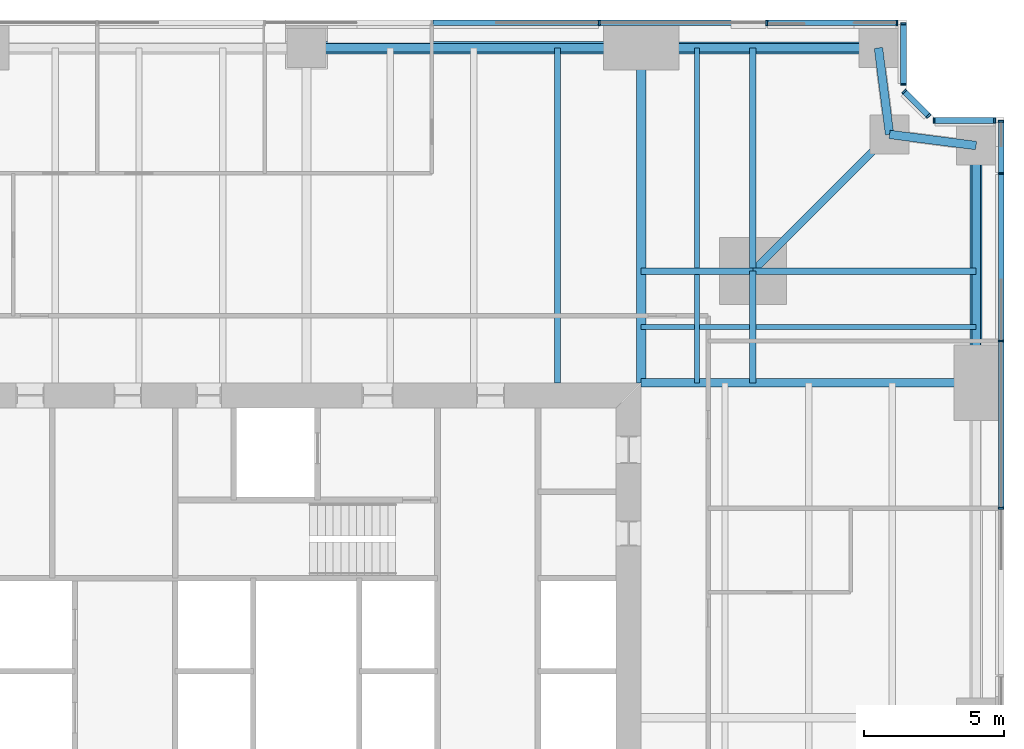
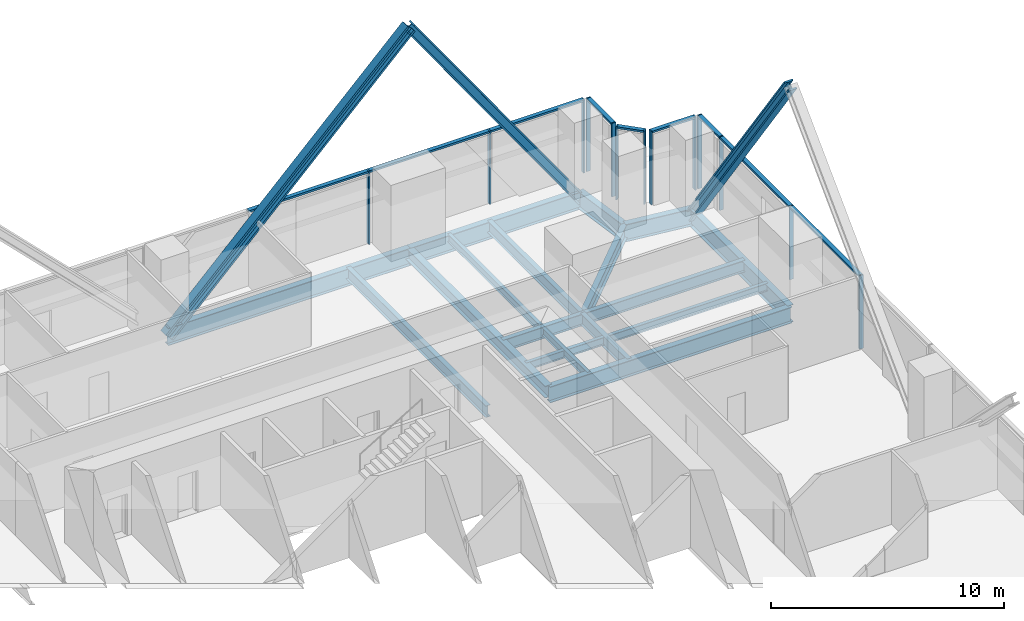
# One storey, part 7 of 13: 25 members, 18 beams, 5 elements without a shape of their own.
"""IFC4 building model written with IfcOpenShell, lengths in metres."""

from ifc_helpers import new_model, si_unit, direction, frame, origin, origin_2d, place, context, subcontext, project, spatial, rectangle, i_section, extrude, material, material_profile, profile_set, type_object, element, aggregate, save


model = new_model("IFC4")

# Units and contexts
model_context = context("Model", 3, precision=1e-05, world=origin(), true_north=direction((0.0, 1.0)))
body_context = subcontext(model_context, "Body", "Model", "MODEL_VIEW")
ifc_project = project(units=[si_unit("LENGTHUNIT", "METRE"), si_unit("AREAUNIT", "SQUARE_METRE"), si_unit("VOLUMEUNIT", "CUBIC_METRE"), si_unit("PLANEANGLEUNIT", "RADIAN"), si_unit("MASSUNIT", "GRAM", prefix="KILO")], contexts=[model_context])

# Site, building, storey
site_placement = place(None, origin())
site = spatial("IfcSite", under=ifc_project, at=site_placement, CompositionType="ELEMENT")
building_placement = place(site_placement, origin())
building = spatial("IfcBuilding", under=site, at=building_placement, Name="Fenwick Lantern Interchange", CompositionType="ELEMENT")
storey_placement = place(building_placement, frame((0.0, 0.0, 67.0)))
storey = spatial("IfcBuildingStorey", under=building, at=storey_placement, Name="L15", CompositionType="ELEMENT", Elevation=67.0)

# Beams
ifc_material_1 = material(Name="Steel ASTM A992 Grade 50", Category="steel")
ifc_material_profile_1 = material_profile(ifc_material_1, i_section(OverallWidth=0.3046875, OverallDepth=0.911865234375, WebThickness=0.015869140625, FlangeThickness=0.02392578125, at=origin_2d()), Name="W36X150")
ifc_profile_set_1 = profile_set([ifc_material_profile_1], Name="Steel ASTM A992 Grade 50")
beam_type_1 = type_object("IfcBeamType", Name="EDGE BEAM W36X150", PredefinedType="SPANDREL", material=ifc_profile_set_1)
beam_1_placement = place(storey_placement, frame((49.0, 37.0, -0.60595703125), z_axis=(0.0, 1.0, 0.0), x_axis=(-1.0, 0.0, 0.0)))
element("IfcBeam", 1, at=beam_1_placement, inside=storey, type_object=beam_type_1, Name="L15/FR/E/EB4", PredefinedType="SPANDREL", context=body_context, shape_type="SweptSolid", body=[
    extrude(i_section(OverallWidth=0.3046875, OverallDepth=0.911865234375, WebThickness=0.015869140625, FlangeThickness=0.02392578125, at=origin_2d()), origin(), (0.0, 0.0, 1.0), 8.5),
])
for number, where, z_axis, x_axis, name in (
    (2, (49.0, 45.5, -0.60595703125), (-0.991782342897, 0.127936641807, 0.0), (-0.127936641807, -0.991782342897, 0.0), "L15/FR/E/EBR1"),
    (3, (45.89990234375, 45.89990234375, -0.60595703125), (-0.127936641807, 0.991782342897, 0.0), (-0.991782342897, -0.127936641807, 0.0), "L15/FR/E/EBR2"),
):
    element("IfcBeam", number, at=place(storey_placement, frame(where, z_axis=z_axis, x_axis=x_axis)), inside=storey, type_object=beam_type_1, Name=name, PredefinedType="SPANDREL", context=body_context, shape_type="SweptSolid", body=[
        extrude(i_section(OverallWidth=0.3046875, OverallDepth=0.911865234375, WebThickness=0.015869140625, FlangeThickness=0.02392578125, at=origin_2d()), origin(), (0.0, 0.0, 1.0), 3.125732421875),
    ])
beam_2_placement = place(storey_placement, frame((45.5, 49.0, -0.60595703125), z_axis=(-1.0, 0.0, 0.0), x_axis=(0.0, -1.0, 0.0)))
element("IfcBeam", 4, at=beam_2_placement, inside=storey, type_object=beam_type_1, Name="L15/FR/N/EB1", PredefinedType="SPANDREL", context=body_context, shape_type="SweptSolid", body=[
    extrude(i_section(OverallWidth=0.3046875, OverallDepth=0.911865234375, WebThickness=0.015869140625, FlangeThickness=0.02392578125, at=origin_2d()), origin(), (0.0, 0.0, 1.0), 8.5),
])
beam_3_placement = place(storey_placement, frame((37.0, 49.0, -0.60595703125), z_axis=(-1.0, 0.0, 0.0), x_axis=(0.0, -1.0, 0.0)))
element("IfcBeam", 5, at=beam_3_placement, inside=storey, type_object=beam_type_1, Name="L15/FR/N/EB2", PredefinedType="SPANDREL", context=body_context, shape_type="SweptSolid", body=[
    extrude(i_section(OverallWidth=0.3046875, OverallDepth=0.911865234375, WebThickness=0.015869140625, FlangeThickness=0.02392578125, at=origin_2d()), origin(), (0.0, 0.0, 1.0), 12.0),
])

# Members
ifc_material_profile_2 = material_profile(ifc_material_1, i_section(OverallWidth=0.424072265625, OverallDepth=0.47509765625, WebThickness=0.0478515625, FlangeThickness=0.0771484375, at=origin_2d()), Name="W14X426")
ifc_profile_set_2 = profile_set([ifc_material_profile_2], Name="Steel ASTM A992 Grade 50")
member_type_1 = type_object("IfcMemberType", Name="FACADE BRACE W14X426", PredefinedType="BRACE", material=ifc_profile_set_2)
for number, where, z_axis, x_axis, name in (
    (6, (49.0, 45.5, -0.60595703125), (0.0, -0.57801734078, 0.816024481102), (1.0, 0.0, 0.0), "L15/FB/E/BE"),
    (7, (45.5, 49.0, -0.60595703125), (-0.57801734078, 0.0, 0.816024481102), (0.0, -1.0, 0.0), "L15/FB/N/AE"),
):
    element("IfcMember", number, at=place(storey_placement, frame(where, z_axis=z_axis, x_axis=x_axis)), inside=storey, type_object=member_type_1, Name=name, PredefinedType="BRACE", context=body_context, shape_type="SweptSolid", body=[
        extrude(i_section(OverallWidth=0.424072265625, OverallDepth=0.47509765625, WebThickness=0.0478515625, FlangeThickness=0.0771484375, at=origin_2d()), origin(), (0.0, 0.0, 1.0), 14.705322265625),
    ])
ifc_material_profile_3 = material_profile(ifc_material_1, i_section(OverallWidth=0.44189453125, OverallDepth=0.53076171875, WebThickness=0.06591796875, FlangeThickness=0.105712890625, at=origin_2d()), Name="W14X605")
ifc_profile_set_3 = profile_set([ifc_material_profile_3], Name="Steel ASTM A992 Grade 50")
member_type_2 = type_object("IfcMemberType", Name="FACADE BRACE W14X605", PredefinedType="BRACE", material=ifc_profile_set_3)
member_1_placement = place(storey_placement, frame((25.0, 49.0, -0.60595703125), z_axis=(0.707106781187, 0.0, 0.707106781187), x_axis=(0.0, 1.0, 0.0)))
element("IfcMember", 8, at=member_1_placement, inside=storey, type_object=member_type_2, Name="L15/FB/N/A", PredefinedType="BRACE", context=body_context, shape_type="SweptSolid", body=[
    extrude(i_section(OverallWidth=0.44189453125, OverallDepth=0.53076171875, WebThickness=0.06591796875, FlangeThickness=0.105712890625, at=origin_2d()), origin(), (0.0, 0.0, 1.0), 16.970458984375),
])

# Beams
ifc_material_profile_4 = material_profile(ifc_material_1, i_section(OverallWidth=0.22900390625, OverallDepth=0.612060546875, WebThickness=0.011962890625, FlangeThickness=0.01953125, at=origin_2d()), Name="W24X84")
ifc_profile_set_4 = profile_set([ifc_material_profile_4], Name="Steel ASTM A992 Grade 50")
beam_type_2 = type_object("IfcBeamType", Name="FLOOR BEAM W24X84", PredefinedType="BEAM", material=ifc_profile_set_4)
beam_4_placement = place(storey_placement, frame((34.0, 49.0, -0.4560546875), z_axis=(0.0, -1.0, 0.0), x_axis=(1.0, 0.0, 0.0)))
element("IfcBeam", 9, at=beam_4_placement, inside=storey, type_object=beam_type_2, Name="L15/FR/N/R02", PredefinedType="BEAM", context=body_context, shape_type="SweptSolid", body=[
    extrude(i_section(OverallWidth=0.22900390625, OverallDepth=0.612060546875, WebThickness=0.011962890625, FlangeThickness=0.01953125, at=origin_2d()), origin(), (0.0, 0.0, 1.0), 12.0),
])
ifc_material_profile_5 = material_profile(ifc_material_1, i_section(OverallWidth=0.177734375, OverallDepth=0.406494140625, WebThickness=0.0078125, FlangeThickness=0.012939453125, at=origin_2d()), Name="W16X40")
ifc_profile_set_5 = profile_set([ifc_material_profile_5], Name="Steel ASTM A992 Grade 50")
beam_type_3 = type_object("IfcBeamType", Name="INFILL BEAM W16X40", PredefinedType="JOIST", material=ifc_profile_set_5)
beam_5_placement = place(storey_placement, frame((39.0, 49.0, -0.353271484375), z_axis=(0.0, -1.0, 0.0), x_axis=(1.0, 0.0, 0.0)))
element("IfcBeam", 10, at=beam_5_placement, inside=storey, type_object=beam_type_3, Name="L15/FR/N/J1", PredefinedType="JOIST", context=body_context, shape_type="SweptSolid", body=[
    extrude(i_section(OverallWidth=0.177734375, OverallDepth=0.406494140625, WebThickness=0.0078125, FlangeThickness=0.012939453125, at=origin_2d()), origin(), (0.0, 0.0, 1.0), 7.885498046875),
])
beam_6_placement = place(storey_placement, frame((39.0, 40.885498046875, -0.353271484375), z_axis=(0.0, -1.0, 0.0), x_axis=(1.0, 0.0, 0.0)))
element("IfcBeam", 11, at=beam_6_placement, inside=storey, type_object=beam_type_3, Name="L15/FR/N/J2", PredefinedType="JOIST", context=body_context, shape_type="SweptSolid", body=[
    extrude(i_section(OverallWidth=0.177734375, OverallDepth=0.406494140625, WebThickness=0.0078125, FlangeThickness=0.012939453125, at=origin_2d()), origin(), (0.0, 0.0, 1.0), 3.885498046875),
])
beam_7_placement = place(storey_placement, frame((49.0, 39.0, -0.353271484375), z_axis=(-1.0, 0.0, 0.0), x_axis=(0.0, -1.0, 0.0)))
element("IfcBeam", 12, at=beam_7_placement, inside=storey, type_object=beam_type_3, Name="L15/FR/N/J3", PredefinedType="JOIST", context=body_context, shape_type="SweptSolid", body=[
    extrude(i_section(OverallWidth=0.177734375, OverallDepth=0.406494140625, WebThickness=0.0078125, FlangeThickness=0.012939453125, at=origin_2d()), origin(), (0.0, 0.0, 1.0), 7.885498046875),
])
beam_8_placement = place(storey_placement, frame((40.885498046875, 39.0, -0.353271484375), z_axis=(-1.0, 0.0, 0.0), x_axis=(0.0, -1.0, 0.0)))
element("IfcBeam", 13, at=beam_8_placement, inside=storey, type_object=beam_type_3, Name="L15/FR/N/J4", PredefinedType="JOIST", context=body_context, shape_type="SweptSolid", body=[
    extrude(i_section(OverallWidth=0.177734375, OverallDepth=0.406494140625, WebThickness=0.0078125, FlangeThickness=0.012939453125, at=origin_2d()), origin(), (0.0, 0.0, 1.0), 1.796630859375),
])
beam_9_placement = place(storey_placement, frame((38.9111328125, 39.0, -0.353271484375), z_axis=(-1.0, 0.0, 0.0), x_axis=(0.0, -1.0, 0.0)))
element("IfcBeam", 14, at=beam_9_placement, inside=storey, type_object=beam_type_3, Name="L15/FR/N/J5", PredefinedType="JOIST", context=body_context, shape_type="SweptSolid", body=[
    extrude(i_section(OverallWidth=0.177734375, OverallDepth=0.406494140625, WebThickness=0.0078125, FlangeThickness=0.012939453125, at=origin_2d()), origin(), (0.0, 0.0, 1.0), 1.9111328125),
])
ifc_material_profile_6 = material_profile(ifc_material_1, i_section(OverallWidth=0.22900390625, OverallDepth=0.612060546875, WebThickness=0.011962890625, FlangeThickness=0.01953125, at=origin_2d()), Name="W24X84")
ifc_profile_set_6 = profile_set([ifc_material_profile_6], Name="Steel ASTM A992 Grade 50")
beam_type_4 = type_object("IfcBeamType", Name="MEGA COLUMN BEAM W24X84", PredefinedType="BEAM", material=ifc_profile_set_6)
for number, where, z_axis, x_axis, name in (
    (15, (41.0, 41.0, -0.4560546875), (0.0, 1.0, 0.0), (-1.0, 0.0, 0.0), "L15/FR/N/MB1"),
    (16, (41.0, 41.0, -0.4560546875), (1.0, 0.0, 0.0), (0.0, 1.0, 0.0), "L15/FR/N/MB2"),
):
    element("IfcBeam", number, at=place(storey_placement, frame(where, z_axis=z_axis, x_axis=x_axis)), inside=storey, type_object=beam_type_4, Name=name, PredefinedType="BEAM", context=body_context, shape_type="SweptSolid", body=[
        extrude(i_section(OverallWidth=0.22900390625, OverallDepth=0.612060546875, WebThickness=0.011962890625, FlangeThickness=0.01953125, at=origin_2d()), origin(), (0.0, 0.0, 1.0), 8.0),
    ])
for number, where, z_axis, x_axis, name in (
    (17, (41.0, 41.0, -0.4560546875), (-1.0, 0.0, 0.0), (0.0, -1.0, 0.0), "L15/FR/N/MB3"),
    (18, (41.0, 41.0, -0.4560546875), (0.0, -1.0, 0.0), (1.0, 0.0, 0.0), "L15/FR/N/MB4"),
):
    element("IfcBeam", number, at=place(storey_placement, frame(where, z_axis=z_axis, x_axis=x_axis)), inside=storey, type_object=beam_type_4, Name=name, PredefinedType="BEAM", context=body_context, shape_type="SweptSolid", body=[
        extrude(i_section(OverallWidth=0.22900390625, OverallDepth=0.612060546875, WebThickness=0.011962890625, FlangeThickness=0.01953125, at=origin_2d()), origin(), (0.0, 0.0, 1.0), 4.0),
    ])
ifc_material_profile_7 = material_profile(ifc_material_1, i_section(OverallWidth=0.32763671875, OverallDepth=0.622314453125, WebThickness=0.015380859375, FlangeThickness=0.0244140625, at=origin_2d()), Name="W24X131")
ifc_profile_set_7 = profile_set([ifc_material_profile_7], Name="Steel ASTM A992 Grade 50")
beam_type_5 = type_object("IfcBeamType", Name="MOMENT-CONNECTED GIRDER W24X131", PredefinedType="BEAM", material=ifc_profile_set_7)
beam_10_placement = place(storey_placement, frame((37.0, 49.0, -0.461181640625), z_axis=(0.0, -1.0, 0.0), x_axis=(1.0, 0.0, 0.0)))
element("IfcBeam", 19, at=beam_10_placement, inside=storey, type_object=beam_type_5, Name="L15/FR/N/R01", PredefinedType="BEAM", context=body_context, shape_type="SweptSolid", body=[
    extrude(i_section(OverallWidth=0.32763671875, OverallDepth=0.622314453125, WebThickness=0.015380859375, FlangeThickness=0.0244140625, at=origin_2d()), origin(), (0.0, 0.0, 1.0), 12.0),
])
ifc_material_profile_8 = material_profile(ifc_material_1, i_section(OverallWidth=0.2919921875, OverallDepth=0.845703125, WebThickness=0.015380859375, FlangeThickness=0.0244140625, at=origin_2d()), Name="W33X141")
ifc_profile_set_8 = profile_set([ifc_material_profile_8], Name="Steel ASTM A992 Grade 50")
beam_type_6 = type_object("IfcBeamType", Name="MOMENT-CONNECTED GIRDER W33X141", PredefinedType="BEAM", material=ifc_profile_set_8)
beam_11_placement = place(storey_placement, frame((49.0, 37.0, -0.572998046875), z_axis=(-1.0, 0.0, 0.0), x_axis=(0.0, -1.0, 0.0)))
element("IfcBeam", 20, at=beam_11_placement, inside=storey, type_object=beam_type_6, Name="L15/FR/E/R03", PredefinedType="BEAM", context=body_context, shape_type="SweptSolid", body=[
    extrude(i_section(OverallWidth=0.2919921875, OverallDepth=0.845703125, WebThickness=0.015380859375, FlangeThickness=0.0244140625, at=origin_2d()), origin(), (0.0, 0.0, 1.0), 12.0),
])
ifc_material_profile_9 = material_profile(ifc_material_1, i_section(OverallWidth=0.2666015625, OverallDepth=0.7568359375, WebThickness=0.013916015625, FlangeThickness=0.019287109375, at=origin_2d()), Name="W30X108")
ifc_profile_set_9 = profile_set([ifc_material_profile_9], Name="Steel ASTM A992 Grade 50")
beam_type_7 = type_object("IfcBeamType", Name="NOTCH BEAM W30X108", PredefinedType="BEAM", material=ifc_profile_set_9)
beam_12_placement = place(storey_placement, frame((41.0, 41.0, -0.528564453125), z_axis=(0.707106781187, 0.707106781187, 0.0), x_axis=(-0.707106781187, 0.707106781187, 0.0)))
element("IfcBeam", 21, at=beam_12_placement, inside=storey, type_object=beam_type_7, Name="L15/FR/N/TG", PredefinedType="BEAM", context=body_context, shape_type="SweptSolid", body=[
    extrude(i_section(OverallWidth=0.2666015625, OverallDepth=0.7568359375, WebThickness=0.013916015625, FlangeThickness=0.019287109375, at=origin_2d()), origin(), (0.0, 0.0, 1.0), 6.929443359375),
])

# Curtain wall, members
ifc_material_2 = material(Name="Aluminium curtain wall frame", Category="aluminium")
curtain_wall_type = type_object("IfcCurtainWallType", Name="OFFICE CURTAIN WALL", PredefinedType="USERDEFINED", material=ifc_material_2)
curtain_wall_1_placement = place(storey_placement, origin())
curtain_wall_1 = element("IfcCurtainWall", 22, at=curtain_wall_1_placement, inside=storey, type_object=curtain_wall_type, Name="Office curtain wall 05", ObjectType="OFFICE CURTAIN WALL", PredefinedType="USERDEFINED")
ifc_material_3 = material(Name="Aluminium extrusion", Category="aluminium")
ifc_material_profile_10 = material_profile(ifc_material_3, rectangle(XDim=0.199951171875, YDim=0.06494140625, at=origin_2d()), Name="OFFICE CURTAIN WALL MULLION 65 X 200")
ifc_profile_set_10 = profile_set([ifc_material_profile_10], Name="Aluminium extrusion")
member_type_3 = type_object("IfcMemberType", Name="OFFICE CURTAIN WALL MULLION 65 X 200", PredefinedType="MULLION", material=ifc_profile_set_10)
member_2_placement = place(storey_placement, frame((49.89990234375, 32.5, 0.0), z_axis=(0.0, 0.0, 1.0), x_axis=(-1.0, 0.0, 0.0)))
member_2 = element("IfcMember", 23, at=member_2_placement, type_object=member_type_3, Name="L15/CW/05/M05", PredefinedType="MULLION", context=body_context, shape_type="SweptSolid", body=[
    extrude(rectangle(XDim=0.199951171875, YDim=0.06494140625, at=origin_2d()), origin(), (0.0, 0.0, 1.0), 3.85009765625),
])
member_3_placement = place(storey_placement, frame((49.89990234375, 38.5, 0.0), z_axis=(0.0, 0.0, 1.0), x_axis=(-1.0, 0.0, 0.0)))
member_3 = element("IfcMember", 24, at=member_3_placement, type_object=member_type_3, Name="L15/CW/05/M06", PredefinedType="MULLION", context=body_context, shape_type="SweptSolid", body=[
    extrude(rectangle(XDim=0.199951171875, YDim=0.06494140625, at=origin_2d()), origin(), (0.0, 0.0, 1.0), 3.85009765625),
])
member_4_placement = place(storey_placement, frame((49.89990234375, 44.5, 0.0), z_axis=(0.0, 0.0, 1.0), x_axis=(-1.0, 0.0, 0.0)))
member_4 = element("IfcMember", 25, at=member_4_placement, type_object=member_type_3, Name="L15/CW/05/M07", PredefinedType="MULLION", context=body_context, shape_type="SweptSolid", body=[
    extrude(rectangle(XDim=0.199951171875, YDim=0.06494140625, at=origin_2d()), origin(), (0.0, 0.0, 1.0), 3.85009765625),
])
member_5_placement = place(storey_placement, frame((49.89990234375, 46.367431640625, 0.0), z_axis=(0.0, 0.0, 1.0), x_axis=(-1.0, 0.0, 0.0)))
member_5 = element("IfcMember", 26, at=member_5_placement, type_object=member_type_3, Name="L15/CW/05/M08", PredefinedType="MULLION", context=body_context, shape_type="SweptSolid", body=[
    extrude(rectangle(XDim=0.199951171875, YDim=0.06494140625, at=origin_2d()), origin(), (0.0, 0.0, 1.0), 3.85009765625),
])

curtain_wall_2_placement = place(storey_placement, origin())
curtain_wall_2 = element("IfcCurtainWall", 27, at=curtain_wall_2_placement, inside=storey, type_object=curtain_wall_type, Name="Office curtain wall 06", ObjectType="OFFICE CURTAIN WALL", PredefinedType="USERDEFINED")
member_6_placement = place(storey_placement, frame((49.66748046875, 46.39990234375, 0.0), z_axis=(0.0, 0.0, 1.0), x_axis=(0.0, -1.0, 0.0)))
member_6 = element("IfcMember", 28, at=member_6_placement, type_object=member_type_3, Name="L15/CW/06/M00", PredefinedType="MULLION", context=body_context, shape_type="SweptSolid", body=[
    extrude(rectangle(XDim=0.199951171875, YDim=0.06494140625, at=origin_2d()), origin(), (0.0, 0.0, 1.0), 3.85009765625),
])
member_7_placement = place(storey_placement, frame((47.490966796875, 46.39990234375, 0.0), z_axis=(0.0, 0.0, 1.0), x_axis=(0.0, -1.0, 0.0)))
member_7 = element("IfcMember", 29, at=member_7_placement, type_object=member_type_3, Name="L15/CW/06/M01", PredefinedType="MULLION", context=body_context, shape_type="SweptSolid", body=[
    extrude(rectangle(XDim=0.199951171875, YDim=0.06494140625, at=origin_2d()), origin(), (0.0, 0.0, 1.0), 3.85009765625),
])

curtain_wall_3_placement = place(storey_placement, origin())
curtain_wall_3 = element("IfcCurtainWall", 30, at=curtain_wall_3_placement, inside=storey, type_object=curtain_wall_type, Name="Office curtain wall 07", ObjectType="OFFICE CURTAIN WALL", PredefinedType="USERDEFINED")
member_8_placement = place(storey_placement, frame((47.294189453125, 46.564453125, 0.0), z_axis=(0.0, 0.0, 1.0), x_axis=(-0.707106781187, -0.707106781187, 0.0)))
member_8 = element("IfcMember", 31, at=member_8_placement, type_object=member_type_3, Name="L15/CW/07/M00", PredefinedType="MULLION", context=body_context, shape_type="SweptSolid", body=[
    extrude(rectangle(XDim=0.199951171875, YDim=0.06494140625, at=origin_2d()), origin(), (0.0, 0.0, 1.0), 3.85009765625),
])
member_9_placement = place(storey_placement, frame((46.423095703125, 47.435546875, 0.0), z_axis=(0.0, 0.0, 1.0), x_axis=(-0.707106781187, -0.707106781187, 0.0)))
member_9 = element("IfcMember", 32, at=member_9_placement, type_object=member_type_3, Name="L15/CW/07/M01", PredefinedType="MULLION", context=body_context, shape_type="SweptSolid", body=[
    extrude(rectangle(XDim=0.199951171875, YDim=0.06494140625, at=origin_2d()), origin(), (0.0, 0.0, 1.0), 3.85009765625),
])

curtain_wall_4_placement = place(storey_placement, origin())
curtain_wall_4 = element("IfcCurtainWall", 33, at=curtain_wall_4_placement, inside=storey, type_object=curtain_wall_type, Name="Office curtain wall 08", ObjectType="OFFICE CURTAIN WALL", PredefinedType="USERDEFINED")
member_10_placement = place(storey_placement, frame((46.39990234375, 47.691162109375, 0.0), z_axis=(0.0, 0.0, 1.0), x_axis=(-1.0, 0.0, 0.0)))
member_10 = element("IfcMember", 34, at=member_10_placement, type_object=member_type_3, Name="L15/CW/08/M00", PredefinedType="MULLION", context=body_context, shape_type="SweptSolid", body=[
    extrude(rectangle(XDim=0.199951171875, YDim=0.06494140625, at=origin_2d()), origin(), (0.0, 0.0, 1.0), 3.85009765625),
])
member_11_placement = place(storey_placement, frame((46.39990234375, 49.867431640625, 0.0), z_axis=(0.0, 0.0, 1.0), x_axis=(-1.0, 0.0, 0.0)))
member_11 = element("IfcMember", 35, at=member_11_placement, type_object=member_type_3, Name="L15/CW/08/M01", PredefinedType="MULLION", context=body_context, shape_type="SweptSolid", body=[
    extrude(rectangle(XDim=0.199951171875, YDim=0.06494140625, at=origin_2d()), origin(), (0.0, 0.0, 1.0), 3.85009765625),
])

curtain_wall_5_placement = place(storey_placement, origin())
curtain_wall_5 = element("IfcCurtainWall", 36, at=curtain_wall_5_placement, inside=storey, type_object=curtain_wall_type, Name="Office curtain wall 09", ObjectType="OFFICE CURTAIN WALL", PredefinedType="USERDEFINED")
member_12_placement = place(storey_placement, frame((46.16748046875, 49.89990234375, 0.0), z_axis=(0.0, 0.0, 1.0), x_axis=(0.0, -1.0, 0.0)))
member_12 = element("IfcMember", 37, at=member_12_placement, type_object=member_type_3, Name="L15/CW/09/M00", PredefinedType="MULLION", context=body_context, shape_type="SweptSolid", body=[
    extrude(rectangle(XDim=0.199951171875, YDim=0.06494140625, at=origin_2d()), origin(), (0.0, 0.0, 1.0), 3.85009765625),
])
member_13_placement = place(storey_placement, frame((41.5, 49.89990234375, 0.0), z_axis=(0.0, 0.0, 1.0), x_axis=(0.0, -1.0, 0.0)))
member_13 = element("IfcMember", 38, at=member_13_placement, type_object=member_type_3, Name="L15/CW/09/M01", PredefinedType="MULLION", context=body_context, shape_type="SweptSolid", body=[
    extrude(rectangle(XDim=0.199951171875, YDim=0.06494140625, at=origin_2d()), origin(), (0.0, 0.0, 1.0), 3.85009765625),
])
member_14_placement = place(storey_placement, frame((35.5, 49.89990234375, 0.0), z_axis=(0.0, 0.0, 1.0), x_axis=(0.0, -1.0, 0.0)))
member_14 = element("IfcMember", 39, at=member_14_placement, type_object=member_type_3, Name="L15/CW/09/M02", PredefinedType="MULLION", context=body_context, shape_type="SweptSolid", body=[
    extrude(rectangle(XDim=0.199951171875, YDim=0.06494140625, at=origin_2d()), origin(), (0.0, 0.0, 1.0), 3.85009765625),
])

# Member
ifc_material_profile_11 = material_profile(ifc_material_3, rectangle(XDim=0.199951171875, YDim=0.10009765625, at=origin_2d()), Name="OFFICE CURTAIN WALL TRANSOM 100 X 200")
ifc_profile_set_11 = profile_set([ifc_material_profile_11], Name="Aluminium extrusion")
member_type_4 = type_object("IfcMemberType", Name="OFFICE CURTAIN WALL TRANSOM 100 X 200", PredefinedType="MULLION", material=ifc_profile_set_11)
member_15_placement = place(storey_placement, frame((49.89990234375, 32.532470703125, 3.800048828125), z_axis=(0.0, 1.0, 0.0), x_axis=(-1.0, 0.0, 0.0)))
member_15 = element("IfcMember", 40, at=member_15_placement, type_object=member_type_4, Name="L15/CW/05/T05", PredefinedType="MULLION", context=body_context, shape_type="SweptSolid", body=[
    extrude(rectangle(XDim=0.199951171875, YDim=0.10009765625, at=origin_2d()), origin(), (0.0, 0.0, 1.0), 5.93505859375),
])

member_16_placement = place(storey_placement, frame((49.89990234375, 38.532470703125, 3.800048828125), z_axis=(0.0, 1.0, 0.0), x_axis=(-1.0, 0.0, 0.0)))
member_16 = element("IfcMember", 41, at=member_16_placement, type_object=member_type_4, Name="L15/CW/05/T06", PredefinedType="MULLION", context=body_context, shape_type="SweptSolid", body=[
    extrude(rectangle(XDim=0.199951171875, YDim=0.10009765625, at=origin_2d()), origin(), (0.0, 0.0, 1.0), 5.93505859375),
])

member_17_placement = place(storey_placement, frame((49.89990234375, 44.532470703125, 3.800048828125), z_axis=(0.0, 1.0, 0.0), x_axis=(-1.0, 0.0, 0.0)))
member_17 = element("IfcMember", 42, at=member_17_placement, type_object=member_type_4, Name="L15/CW/05/T07", PredefinedType="MULLION", context=body_context, shape_type="SweptSolid", body=[
    extrude(rectangle(XDim=0.199951171875, YDim=0.10009765625, at=origin_2d()), origin(), (0.0, 0.0, 1.0), 1.802490234375),
])

aggregate(curtain_wall_1, [member_2, member_3, member_4, member_5, member_15, member_16, member_17])

member_18_placement = place(storey_placement, frame((49.635009765625, 46.39990234375, 3.800048828125), z_axis=(-1.0, 0.0, 0.0), x_axis=(0.0, -1.0, 0.0)))
member_18 = element("IfcMember", 43, at=member_18_placement, type_object=member_type_4, Name="L15/CW/06/T00", PredefinedType="MULLION", context=body_context, shape_type="SweptSolid", body=[
    extrude(rectangle(XDim=0.199951171875, YDim=0.10009765625, at=origin_2d()), origin(), (0.0, 0.0, 1.0), 2.111328125),
])

aggregate(curtain_wall_2, [member_6, member_7, member_18])

member_19_placement = place(storey_placement, frame((47.271240234375, 46.58740234375, 3.800048828125), z_axis=(-0.707106781187, 0.707106781187, 0.0), x_axis=(-0.707106781187, -0.707106781187, 0.0)))
member_19 = element("IfcMember", 44, at=member_19_placement, type_object=member_type_4, Name="L15/CW/07/T00", PredefinedType="MULLION", context=body_context, shape_type="SweptSolid", body=[
    extrude(rectangle(XDim=0.199951171875, YDim=0.10009765625, at=origin_2d()), origin(), (0.0, 0.0, 1.0), 1.1669921875),
])

aggregate(curtain_wall_3, [member_8, member_9, member_19])

member_20_placement = place(storey_placement, frame((46.39990234375, 47.7236328125, 3.800048828125), z_axis=(0.0, 1.0, 0.0), x_axis=(-1.0, 0.0, 0.0)))
member_20 = element("IfcMember", 45, at=member_20_placement, type_object=member_type_4, Name="L15/CW/08/T00", PredefinedType="MULLION", context=body_context, shape_type="SweptSolid", body=[
    extrude(rectangle(XDim=0.199951171875, YDim=0.10009765625, at=origin_2d()), origin(), (0.0, 0.0, 1.0), 2.111328125),
])

aggregate(curtain_wall_4, [member_10, member_11, member_20])

member_21_placement = place(storey_placement, frame((46.135009765625, 49.89990234375, 3.800048828125), z_axis=(-1.0, 0.0, 0.0), x_axis=(0.0, -1.0, 0.0)))
member_21 = element("IfcMember", 46, at=member_21_placement, type_object=member_type_4, Name="L15/CW/09/T00", PredefinedType="MULLION", context=body_context, shape_type="SweptSolid", body=[
    extrude(rectangle(XDim=0.199951171875, YDim=0.10009765625, at=origin_2d()), origin(), (0.0, 0.0, 1.0), 4.6025390625),
])

member_22_placement = place(storey_placement, frame((41.467529296875, 49.89990234375, 3.800048828125), z_axis=(-1.0, 0.0, 0.0), x_axis=(0.0, -1.0, 0.0)))
member_22 = element("IfcMember", 47, at=member_22_placement, type_object=member_type_4, Name="L15/CW/09/T01", PredefinedType="MULLION", context=body_context, shape_type="SweptSolid", body=[
    extrude(rectangle(XDim=0.199951171875, YDim=0.10009765625, at=origin_2d()), origin(), (0.0, 0.0, 1.0), 5.93505859375),
])

member_23_placement = place(storey_placement, frame((35.467529296875, 49.89990234375, 3.800048828125), z_axis=(-1.0, 0.0, 0.0), x_axis=(0.0, -1.0, 0.0)))
member_23 = element("IfcMember", 48, at=member_23_placement, type_object=member_type_4, Name="L15/CW/09/T02", PredefinedType="MULLION", context=body_context, shape_type="SweptSolid", body=[
    extrude(rectangle(XDim=0.199951171875, YDim=0.10009765625, at=origin_2d()), origin(), (0.0, 0.0, 1.0), 5.93505859375),
])

aggregate(curtain_wall_5, [member_12, member_13, member_14, member_21, member_22, member_23])

save(model, "model.ifc")
